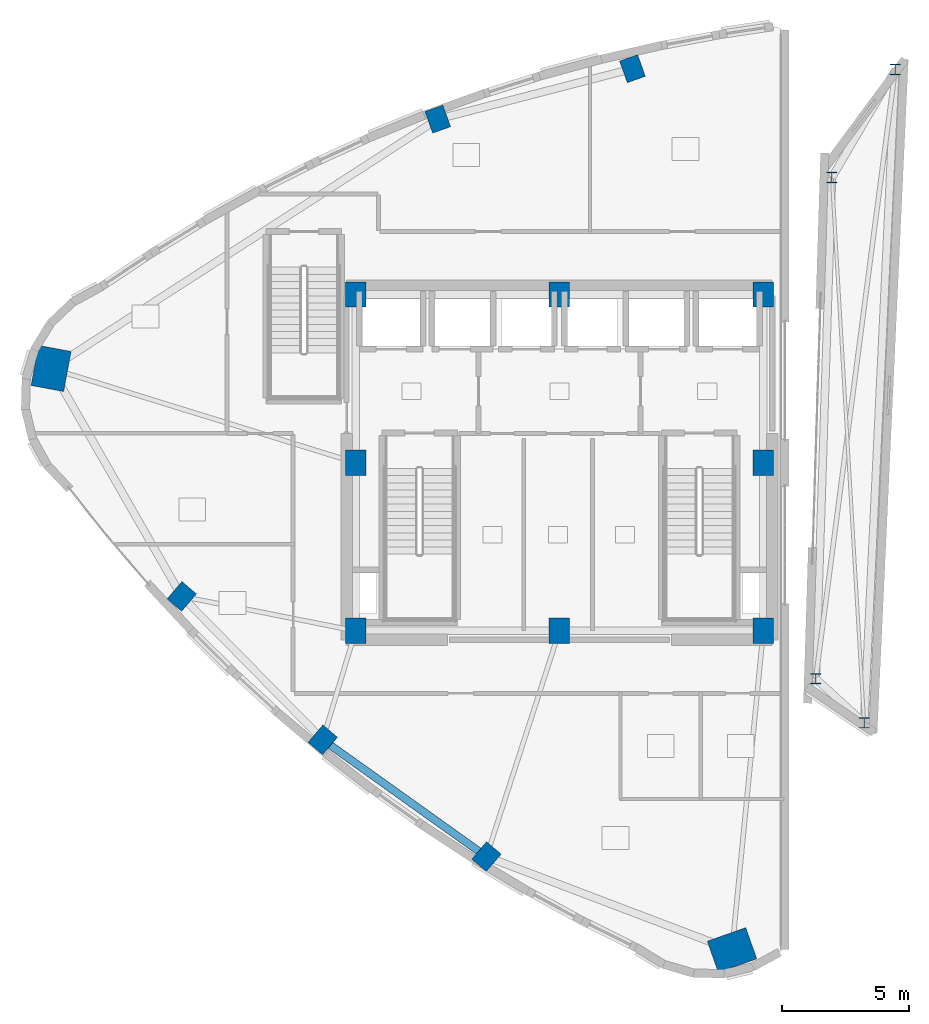
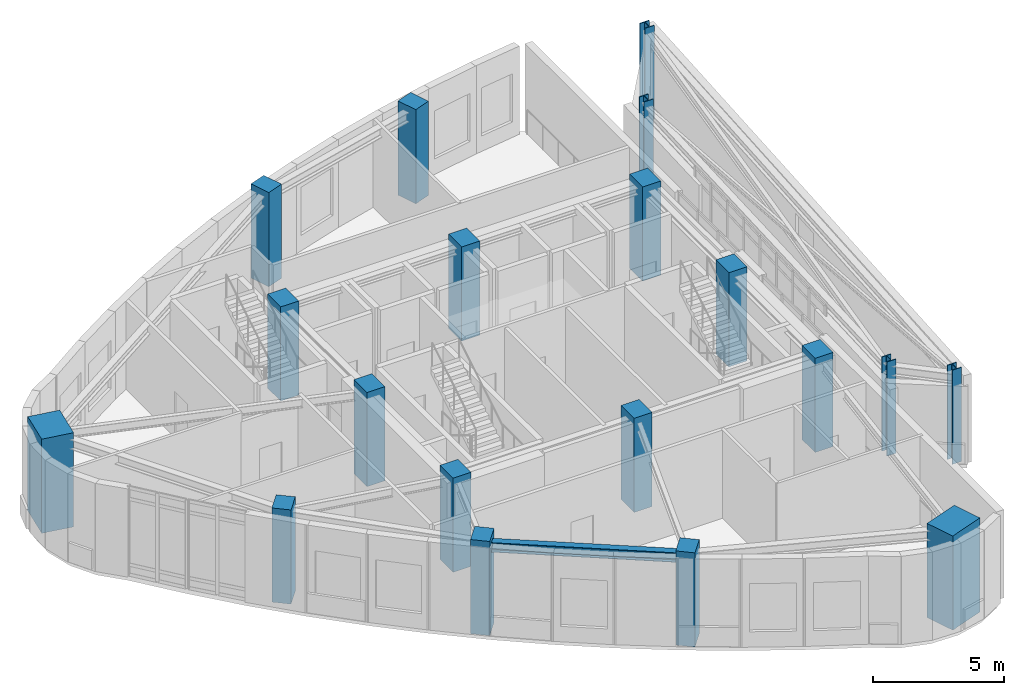
# One storey, part 1 of 19: 19 columns, 1 beam.
"""IFC4 building model written with IfcOpenShell, lengths in metres."""

from ifc_helpers import new_model, si_unit, direction, frame, origin, origin_2d, place, context, subcontext, project, spatial, rectangle, i_section, extrude, material, material_profile, profile_set, type_object, element, save


model = new_model("IFC4")

# Units and contexts
model_context = context("Model", 3, precision=1e-05, world=origin(), true_north=direction((0.0, 1.0)))
body_context = subcontext(model_context, "Body", "Model", "MODEL_VIEW")
ifc_project = project(units=[si_unit("LENGTHUNIT", "METRE"), si_unit("AREAUNIT", "SQUARE_METRE"), si_unit("VOLUMEUNIT", "CUBIC_METRE"), si_unit("PLANEANGLEUNIT", "RADIAN"), si_unit("MASSUNIT", "GRAM", prefix="KILO")], contexts=[model_context])

# Site, building, storey
site_placement = place(None, origin())
site = spatial("IfcSite", under=ifc_project, at=site_placement, CompositionType="ELEMENT")
building_placement = place(site_placement, origin())
building = spatial("IfcBuilding", under=site, at=building_placement, Name="Ndelora Gate Hotel", CompositionType="ELEMENT")
storey_placement = place(building_placement, frame((0.0, 0.0, 299.199951171875)))
storey = spatial("IfcBuildingStorey", under=building, at=storey_placement, Name="L74", CompositionType="ELEMENT", Elevation=299.199951171875)

# Columns
ifc_material_1 = material(Name="Concrete C50/60", Category="concrete")
ifc_material_profile_1 = material_profile(ifc_material_1, rectangle(XDim=0.800048828125, YDim=1.0, at=origin_2d()), Name="RC 1000x800")
ifc_profile_set_1 = profile_set([ifc_material_profile_1], Name="Concrete C50/60")
column_type_1 = type_object("IfcColumnType", Name="COL-CC-HI", PredefinedType="COLUMN", material=ifc_profile_set_1)
for number, where, z_axis, x_axis, name in (
    (1, (-8.0, -6.60009765625, 0.0), (0.0, 0.0, 1.0), (1.0, 0.0, 0.0), "L74 Core Column CC1"),
    (2, (0.0, -6.60009765625, 0.0), (0.0, 0.0, 1.0), (1.0, 0.0, 0.0), "L74 Core Column CC2"),
    (3, (8.0, -6.60009765625, 0.0), (0.0, 0.0, 1.0), (1.0, 0.0, 0.0), "L74 Core Column CC3"),
    (4, (8.0, 0.0, 0.0), (0.0, 0.0, 1.0), (1.0, 0.0, 0.0), "L74 Core Column CC4"),
    (5, (8.0, 6.60009765625, 0.0), (0.0, 0.0, 1.0), (1.0, 0.0, 0.0), "L74 Core Column CC5"),
    (6, (0.0, 6.60009765625, 0.0), (0.0, 0.0, 1.0), (1.0, 0.0, 0.0), "L74 Core Column CC6"),
    (7, (-8.0, 6.60009765625, 0.0), (0.0, 0.0, 1.0), (1.0, 0.0, 0.0), "L74 Core Column CC7"),
    (8, (-8.0, 0.0, 0.0), (0.0, 0.0, 1.0), (1.0, 0.0, 0.0), "L74 Core Column CC8"),
):
    element("IfcColumn", number, at=place(storey_placement, frame(where, z_axis=z_axis, x_axis=x_axis)), inside=storey, type_object=column_type_1, Name=name, PredefinedType="COLUMN", context=body_context, shape_type="SweptSolid", body=[
        extrude(rectangle(XDim=0.800048828125, YDim=1.0, at=origin_2d()), origin(), (0.0, 0.0, 1.0), 4.400146484375),
    ])
ifc_material_profile_2 = material_profile(ifc_material_1, rectangle(XDim=1.300048828125, YDim=1.60009765625, at=origin_2d()), Name="RC 1600x1300")
ifc_profile_set_2 = profile_set([ifc_material_profile_2], Name="Concrete C50/60")
column_type_2 = type_object("IfcColumnType", Name="COL-MC-Z4", PredefinedType="COLUMN", material=ifc_profile_set_2)
for number, where, z_axis, x_axis, name in (
    (9, (-19.949951171875, 3.697509765625, 0.0), (0.0, 0.0, 1.0), (-0.983254907564, 0.182235525492, 0.0), "L74 Corner Mega-Column R1"),
    (10, (6.772705078125, -19.1259765625, 0.0), (0.0, 0.0, 1.0), (-0.333806859234, 0.942641491092, 0.0), "L74 Corner Mega-Column R5"),
):
    element("IfcColumn", number, at=place(storey_placement, frame(where, z_axis=z_axis, x_axis=x_axis)), inside=storey, type_object=column_type_2, Name=name, PredefinedType="COLUMN", context=body_context, shape_type="SweptSolid", body=[
        extrude(rectangle(XDim=1.300048828125, YDim=1.60009765625, at=origin_2d()), origin(), (0.0, 0.0, 1.0), 4.400146484375),
    ])
ifc_material_profile_3 = material_profile(ifc_material_1, rectangle(XDim=0.75, YDim=0.89990234375, at=origin_2d()), Name="RC 900x750")
ifc_profile_set_3 = profile_set([ifc_material_profile_3], Name="Concrete C50/60")
column_type_3 = type_object("IfcColumnType", Name="COL-PT-Z4", PredefinedType="COLUMN", material=ifc_profile_set_3)
for number, where, z_axis, x_axis, name in (
    (11, (-14.822509765625, -5.248779296875, 0.0), (0.0, 0.0, 1.0), (-0.7604059656, 0.64944804833, 0.0), "L74 Perimeter Tube Column R2"),
    (12, (-9.2890625, -10.876220703125, 0.0), (0.0, 0.0, 1.0), (-0.7604059656, 0.64944804833, 0.0), "L74 Perimeter Tube Column R3"),
    (13, (-2.865478515625, -15.461181640625, 0.0), (0.0, 0.0, 1.0), (-0.7604059656, 0.64944804833, 0.0), "L74 Perimeter Tube Column R4"),
    (14, (2.865478515625, 15.461181640625, 0.0), (0.0, 0.0, 1.0), (0.942641491092, 0.333806859234, 0.0), "L74 Perimeter Tube Column R10"),
    (15, (-4.7744140625, 13.482666015625, 0.0), (0.0, 0.0, 1.0), (0.942641491092, 0.333806859234, 0.0), "L74 Perimeter Tube Column R11"),
):
    element("IfcColumn", number, at=place(storey_placement, frame(where, z_axis=z_axis, x_axis=x_axis)), inside=storey, type_object=column_type_3, Name=name, PredefinedType="COLUMN", context=body_context, shape_type="SweptSolid", body=[
        extrude(rectangle(XDim=0.75, YDim=0.89990234375, at=origin_2d()), origin(), (0.0, 0.0, 1.0), 4.400146484375),
    ])
ifc_material_2 = material(Name="Steel S460", Category="steel")
ifc_material_profile_4 = material_profile(ifc_material_2, i_section(OverallWidth=0.406005859375, OverallDepth=0.416015625, WebThickness=0.021484375, FlangeThickness=0.034423828125, FilletRadius=0.014892578125, at=origin_2d()), Name="HD 400x382")
ifc_profile_set_4 = profile_set([ifc_material_profile_4], Name="Steel S460")
column_type_4 = type_object("IfcColumnType", Name="COL-STL-CRN2", PredefinedType="COLUMN", material=ifc_profile_set_4)
for number, where, z_axis, x_axis, name in (
    (16, (10.0576171875, -8.478271484375, 0.0), (0.0, 0.0, 1.0), (1.0, 0.0, 0.0), "L74 East Crown Peak Column EP-1"),
    (17, (11.956787109375, -10.212158203125, 0.0), (0.0, 0.0, 1.0), (1.0, 0.0, 0.0), "L74 East Crown Peak Column EP-2"),
    (18, (13.177001953125, 15.428466796875, 0.0), (0.0, 0.0, 1.0), (1.0, 0.0, 0.0), "L74 East Crown Peak Column EP-3"),
    (19, (10.692138671875, 11.19091796875, 0.0), (0.0, 0.0, 1.0), (1.0, 0.0, 0.0), "L74 East Crown Peak Column EP-4"),
):
    element("IfcColumn", number, at=place(storey_placement, frame(where, z_axis=z_axis, x_axis=x_axis)), inside=storey, type_object=column_type_4, Name=name, PredefinedType="COLUMN", context=body_context, shape_type="SweptSolid", body=[
        extrude(i_section(OverallWidth=0.406005859375, OverallDepth=0.416015625, WebThickness=0.021484375, FlangeThickness=0.034423828125, FilletRadius=0.014892578125, at=origin_2d()), origin(), (0.0, 0.0, 1.0), 4.400146484375),
    ])

# Beam
ifc_material_3 = material(Name="Steel S355", Category="steel")
ifc_material_profile_5 = material_profile(ifc_material_3, i_section(OverallWidth=0.300048828125, OverallDepth=0.449951171875, WebThickness=0.013916015625, FlangeThickness=0.02587890625, FilletRadius=0.027099609375, at=origin_2d()), Name="HEB 450")
ifc_profile_set_5 = profile_set([ifc_material_profile_5], Name="Steel S355")
beam_type = type_object("IfcBeamType", Name="BM-RING-450", PredefinedType="SPANDREL", material=ifc_profile_set_5)
beam_placement = place(storey_placement, frame((-9.2890625, -10.876220703125, 3.89501953125), z_axis=(0.813931993272, -0.580960162428, 0.0), x_axis=(0.580960162428, 0.813931993272, 0.0)))
element("IfcBeam", 20, at=beam_placement, inside=storey, type_object=beam_type, Name="L74 structural beam RB-5", PredefinedType="SPANDREL", context=body_context, shape_type="SweptSolid", body=[
    extrude(i_section(OverallWidth=0.300048828125, OverallDepth=0.449951171875, WebThickness=0.013916015625, FlangeThickness=0.02587890625, FilletRadius=0.027099609375, at=origin_2d()), origin(), (0.0, 0.0, 1.0), 7.89208984375),
])

save(model, "model.ifc")
